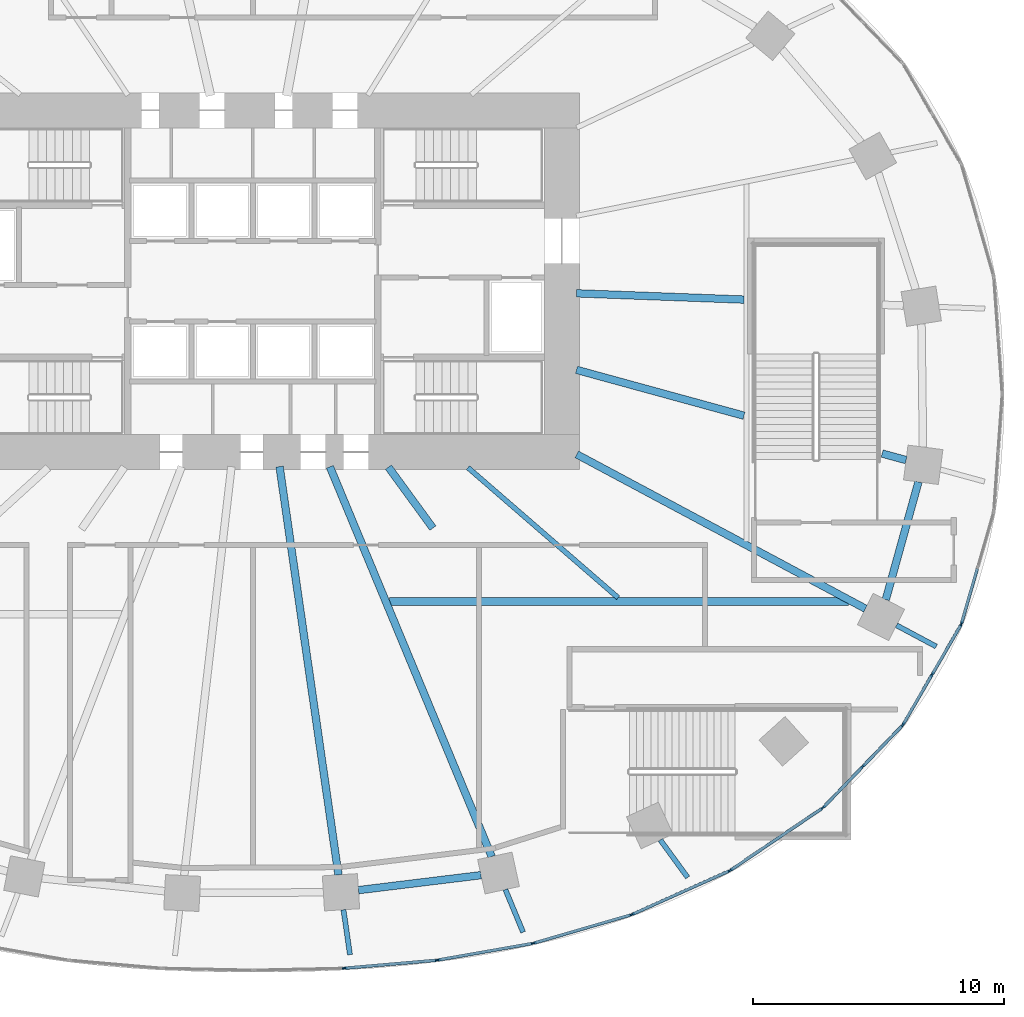
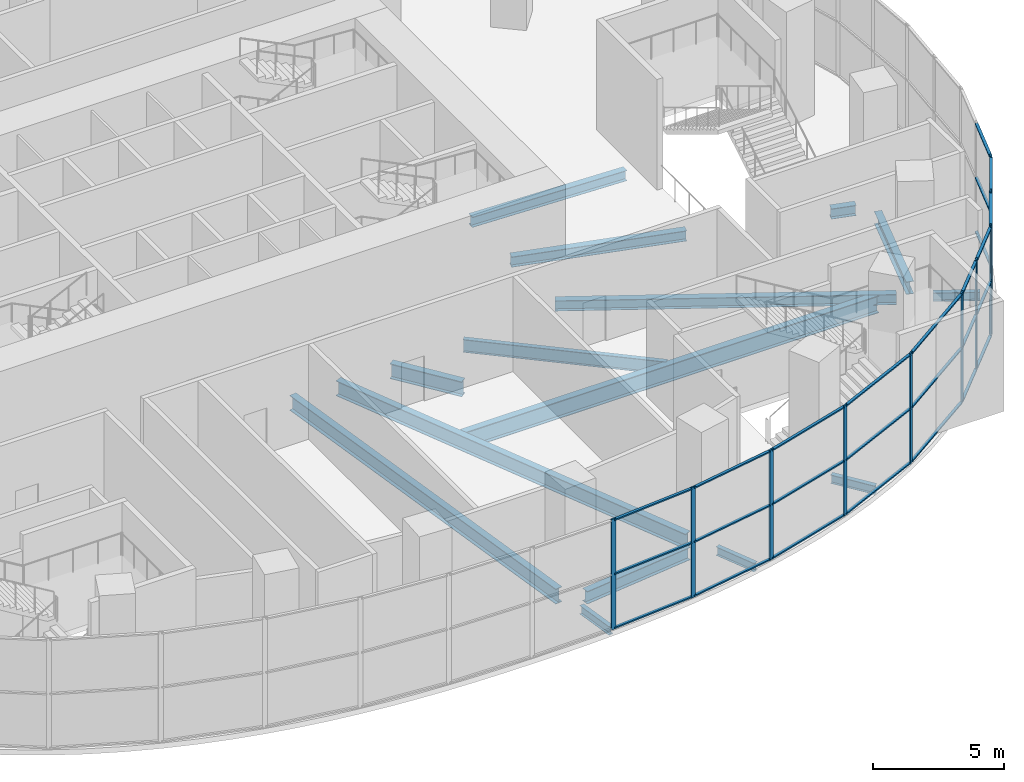
# One storey, part 5 of 20: 40 members, 15 beams, 8 elements without a shape of their own.
"""IFC4 building model written with IfcOpenShell, lengths in metres."""

from ifc_helpers import new_model, si_unit, direction, frame, origin, origin_2d, place, context, subcontext, project, spatial, rectangle, i_section, extrude, material, material_profile, profile_set, type_object, element, aggregate, save


model = new_model("IFC4")

# Units and contexts
model_context = context("Model", 3, precision=1e-05, world=origin(), true_north=direction((0.0, 1.0)))
body_context = subcontext(model_context, "Body", "Model", "MODEL_VIEW")
ifc_project = project(units=[si_unit("LENGTHUNIT", "METRE"), si_unit("AREAUNIT", "SQUARE_METRE"), si_unit("VOLUMEUNIT", "CUBIC_METRE"), si_unit("PLANEANGLEUNIT", "RADIAN"), si_unit("MASSUNIT", "GRAM", prefix="KILO")], contexts=[model_context])

# Site, building, storey
site_placement = place(None, origin())
site = spatial("IfcSite", under=ifc_project, at=site_placement, CompositionType="ELEMENT")
building_placement = place(site_placement, origin())
building = spatial("IfcBuilding", under=site, at=building_placement, Name="Rubra Terraces Tower", CompositionType="ELEMENT")
storey_placement = place(building_placement, frame((0.0, 0.0, 22.800048828125)))
storey = spatial("IfcBuildingStorey", under=building, at=storey_placement, Name="L03", CompositionType="ELEMENT", Elevation=22.800048828125)

# Beams
ifc_material_1 = material(Name="Steel Q355B", Category="steel")
ifc_material_profile_1 = material_profile(ifc_material_1, i_section(OverallWidth=0.199951171875, OverallDepth=0.39990234375, WebThickness=0.008056640625, FlangeThickness=0.012939453125, at=origin_2d()), Name="HN 400x200x8x13")
ifc_profile_set_1 = profile_set([ifc_material_profile_1], Name="Steel Q355B")
beam_type_1 = type_object("IfcBeamType", Name="CANTILEVER BEAM HN 400x200x8x13", PredefinedType="BEAM", material=ifc_profile_set_1)
beam_1_placement = place(storey_placement, frame((3.60888671875, -20.51904296875, -0.449951171875), z_axis=(0.142763772924, -0.989756790904, 0.0), x_axis=(0.989756790904, 0.142763772924, 0.0)))
element("IfcBeam", 1, at=beam_1_placement, inside=storey, type_object=beam_type_1, Name="beam-L03-cant-19", PredefinedType="BEAM", context=body_context, shape_type="SweptSolid", body=[
    extrude(i_section(OverallWidth=0.199951171875, OverallDepth=0.39990234375, WebThickness=0.008056640625, FlangeThickness=0.012939453125, at=origin_2d()), origin(), (0.0, 0.0, 1.0), 1.8076171875),
])
beam_2_placement = place(storey_placement, frame((10.052978515625, -19.715087890625, -0.449951171875), z_axis=(0.383493077266, -0.923543750826, 0.0), x_axis=(0.923543750826, 0.383493077266, 0.0)))
element("IfcBeam", 2, at=beam_2_placement, inside=storey, type_object=beam_type_1, Name="beam-L03-cant-20", PredefinedType="BEAM", context=body_context, shape_type="SweptSolid", body=[
    extrude(i_section(OverallWidth=0.199951171875, OverallDepth=0.39990234375, WebThickness=0.008056640625, FlangeThickness=0.012939453125, at=origin_2d()), origin(), (0.0, 0.0, 1.0), 1.838623046875),
])
beam_3_placement = place(storey_placement, frame((16.219970703125, -17.741943359375, -0.449951171875), z_axis=(0.589263865816, -0.80794065156, 0.0), x_axis=(0.80794065156, 0.589263865816, 0.0)))
element("IfcBeam", 3, at=beam_3_placement, inside=storey, type_object=beam_type_1, Name="beam-L03-cant-21", PredefinedType="BEAM", context=body_context, shape_type="SweptSolid", body=[
    extrude(i_section(OverallWidth=0.199951171875, OverallDepth=0.39990234375, WebThickness=0.008056640625, FlangeThickness=0.012939453125, at=origin_2d()), origin(), (0.0, 0.0, 1.0), 1.8466796875),
])
beam_4_placement = place(storey_placement, frame((25.62109375, -9.196044921875, -0.449951171875), z_axis=(0.881903321084, -0.471430304776, 0.0), x_axis=(0.471430304776, 0.881903321084, 0.0)))
element("IfcBeam", 4, at=beam_4_placement, inside=storey, type_object=beam_type_1, Name="beam-L03-cant-23", PredefinedType="BEAM", context=body_context, shape_type="SweptSolid", body=[
    extrude(i_section(OverallWidth=0.199951171875, OverallDepth=0.39990234375, WebThickness=0.008056640625, FlangeThickness=0.012939453125, at=origin_2d()), origin(), (0.0, 0.0, 1.0), 1.790283203125),
])
ifc_material_profile_2 = material_profile(ifc_material_1, i_section(OverallWidth=0.300048828125, OverallDepth=0.48193359375, WebThickness=0.010986328125, FlangeThickness=0.014892578125, at=origin_2d()), Name="HM 482x300x11x15")
ifc_profile_set_2 = profile_set([ifc_material_profile_2], Name="Steel Q355B")
beam_type_2 = type_object("IfcBeamType", Name="FLOOR BEAM HM 482x300x11x15", PredefinedType="BEAM", material=ifc_profile_set_2)
beam_5_placement = place(storey_placement, frame((19.550048828125, 3.76708984375, -0.490966796875), z_axis=(-0.99929835172, 0.037454028482, 0.0), x_axis=(-0.037454028482, -0.99929835172, 0.0)))
element("IfcBeam", 5, at=beam_5_placement, inside=storey, type_object=beam_type_2, Name="beam-L03-floor-01-b", PredefinedType="BEAM", context=body_context, shape_type="SweptSolid", body=[
    extrude(i_section(OverallWidth=0.300048828125, OverallDepth=0.48193359375, WebThickness=0.010986328125, FlangeThickness=0.014892578125, at=origin_2d()), origin(), (0.0, 0.0, 1.0), 6.6748046875),
])
beam_6_placement = place(storey_placement, frame((24.385009765625, -8.535888671875, -0.490966796875), z_axis=(-0.881896613876, 0.471442851716, 0.0), x_axis=(-0.471442851716, -0.881896613876, 0.0)))
element("IfcBeam", 6, at=beam_6_placement, inside=storey, type_object=beam_type_2, Name="beam-L03-floor-23", PredefinedType="BEAM", context=body_context, shape_type="SweptSolid", body=[
    extrude(i_section(OverallWidth=0.300048828125, OverallDepth=0.48193359375, WebThickness=0.010986328125, FlangeThickness=0.014892578125, at=origin_2d()), origin(), (0.0, 0.0, 1.0), 13.02978515625),
])
beam_7_placement = place(storey_placement, frame((26.001953125, -2.62109375, -0.490966796875), z_axis=(-0.964409050959, 0.264414792376, 0.0), x_axis=(-0.264414792376, -0.964409050959, 0.0)))
element("IfcBeam", 7, at=beam_7_placement, inside=storey, type_object=beam_type_2, Name="beam-L03-floor-24-a", PredefinedType="BEAM", context=body_context, shape_type="SweptSolid", body=[
    extrude(i_section(OverallWidth=0.300048828125, OverallDepth=0.48193359375, WebThickness=0.010986328125, FlangeThickness=0.014892578125, at=origin_2d()), origin(), (0.0, 0.0, 1.0), 0.987060546875),
])
beam_8_placement = place(storey_placement, frame((19.550048828125, -0.85498046875, -0.490966796875), z_axis=(-0.96447222005, 0.26418428559, 0.0), x_axis=(-0.26418428559, -0.96447222005, 0.0)))
element("IfcBeam", 8, at=beam_8_placement, inside=storey, type_object=beam_type_2, Name="beam-L03-floor-24-b", PredefinedType="BEAM", context=body_context, shape_type="SweptSolid", body=[
    extrude(i_section(OverallWidth=0.300048828125, OverallDepth=0.48193359375, WebThickness=0.010986328125, FlangeThickness=0.014892578125, at=origin_2d()), origin(), (0.0, 0.0, 1.0), 6.91162109375),
])
ifc_material_profile_3 = material_profile(ifc_material_1, i_section(OverallWidth=0.198974609375, OverallDepth=0.595947265625, WebThickness=0.010009765625, FlangeThickness=0.014892578125, at=origin_2d()), Name="HN 596x199x10x15")
ifc_profile_set_3 = profile_set([ifc_material_profile_3], Name="Steel Q355B")
beam_type_3 = type_object("IfcBeamType", Name="FLOOR BEAM HN 596x199x10x15", PredefinedType="BEAM", material=ifc_profile_set_3)
beam_9_placement = place(storey_placement, frame((14.5390625, -8.10009765625, -0.548095703125), z_axis=(-0.755693157297, 0.654925837033, 0.0), x_axis=(-0.654925837033, -0.755693157297, 0.0)))
element("IfcBeam", 9, at=beam_9_placement, inside=storey, type_object=beam_type_3, Name="beam-L03-floor-22-a", PredefinedType="BEAM", context=body_context, shape_type="SweptSolid", body=[
    extrude(i_section(OverallWidth=0.198974609375, OverallDepth=0.595947265625, WebThickness=0.010009765625, FlangeThickness=0.014892578125, at=origin_2d()), origin(), (0.0, 0.0, 1.0), 7.907958984375),
])
ifc_material_profile_4 = material_profile(ifc_material_1, i_section(OverallWidth=0.300048828125, OverallDepth=0.699951171875, WebThickness=0.012939453125, FlangeThickness=0.02392578125, at=origin_2d()), Name="HN 700x300x13x24")
ifc_profile_set_4 = profile_set([ifc_material_profile_4], Name="Steel Q355B")
beam_type_4 = type_object("IfcBeamType", Name="FLOOR BEAM HN 700x300x13x24", PredefinedType="BEAM", material=ifc_profile_set_4)
beam_10_placement = place(storey_placement, frame((3.408935546875, -19.12890625, -0.60009765625), z_axis=(-0.142787075711, 0.9897534294, 0.0), x_axis=(-0.9897534294, -0.142787075711, 0.0)))
element("IfcBeam", 10, at=beam_10_placement, inside=storey, type_object=beam_type_4, Name="beam-L03-floor-19", PredefinedType="BEAM", context=body_context, shape_type="SweptSolid", body=[
    extrude(i_section(OverallWidth=0.300048828125, OverallDepth=0.699951171875, WebThickness=0.012939453125, FlangeThickness=0.02392578125, at=origin_2d()), origin(), (0.0, 0.0, 1.0), 16.416015625),
])
beam_11_placement = place(storey_placement, frame((9.507080078125, -18.40087890625, -0.60009765625), z_axis=(-0.383379543301, 0.923590886582, 0.0), x_axis=(-0.923590886582, -0.383379543301, 0.0)))
element("IfcBeam", 11, at=beam_11_placement, inside=storey, type_object=beam_type_4, Name="beam-L03-floor-20", PredefinedType="BEAM", context=body_context, shape_type="SweptSolid", body=[
    extrude(i_section(OverallWidth=0.300048828125, OverallDepth=0.699951171875, WebThickness=0.012939453125, FlangeThickness=0.02392578125, at=origin_2d()), origin(), (0.0, 0.0, 1.0), 16.795166015625),
])
beam_12_placement = place(storey_placement, frame((7.1669921875, -5.326904296875, -0.60009765625), z_axis=(-0.589322677246, 0.807897754722, 0.0), x_axis=(-0.807897754722, -0.589322677246, 0.0)))
element("IfcBeam", 12, at=beam_12_placement, inside=storey, type_object=beam_type_4, Name="beam-L03-floor-21-a", PredefinedType="BEAM", context=body_context, shape_type="SweptSolid", body=[
    extrude(i_section(OverallWidth=0.300048828125, OverallDepth=0.699951171875, WebThickness=0.012939453125, FlangeThickness=0.02392578125, at=origin_2d()), origin(), (0.0, 0.0, 1.0), 3.000244140625),
])

# Curtain wall, member
ifc_material_2 = material(Name="Aluminium and glass", Category="aluminium")
curtain_wall_type = type_object("IfcCurtainWallType", Name="Curtain wall Podium glazing", PredefinedType="NOTDEFINED", material=ifc_material_2)
curtain_wall_1_placement = place(storey_placement, origin())
curtain_wall_1 = element("IfcCurtainWall", 13, at=curtain_wall_1_placement, inside=storey, type_object=curtain_wall_type, Name="L03 glazing bay 32", PredefinedType="NOTDEFINED")
ifc_material_3 = material(Name="Aluminium, anodised dark grey", Category="aluminium")
ifc_material_profile_5 = material_profile(ifc_material_3, rectangle(XDim=0.06005859375, YDim=0.199951171875, at=origin_2d()), Name="AL 60x200")
ifc_profile_set_5 = profile_set([ifc_material_profile_5], Name="Aluminium, anodised dark grey")
member_type_1 = type_object("IfcMemberType", Name="Podium glazing mullion 60 x 200", PredefinedType="MULLION", material=ifc_profile_set_5)
member_1_placement = place(storey_placement, frame((3.6533203125, -22.8447265625, 0.0), z_axis=(0.0, 0.0, 1.0), x_axis=(-0.08639804595, 0.996260697637, 0.0)))
member_1 = element("IfcMember", 14, at=member_1_placement, type_object=member_type_1, Name="CW1 mullion 1", PredefinedType="MULLION", context=body_context, shape_type="SweptSolid", body=[
    extrude(rectangle(XDim=0.06005859375, YDim=0.199951171875, at=origin_2d()), origin(), (0.0, 0.0, 1.0), 5.14990234375),
])

curtain_wall_2_placement = place(storey_placement, origin())
curtain_wall_2 = element("IfcCurtainWall", 15, at=curtain_wall_2_placement, inside=storey, type_object=curtain_wall_type, Name="L03 glazing bay 33", PredefinedType="NOTDEFINED")
member_2_placement = place(storey_placement, frame((7.359619140625, -22.52099609375, 0.0), z_axis=(0.0, 0.0, 1.0), x_axis=(-0.172816985997, 0.984953952909, 0.0)))
member_2 = element("IfcMember", 16, at=member_2_placement, type_object=member_type_1, Name="CW1 mullion 1", PredefinedType="MULLION", context=body_context, shape_type="SweptSolid", body=[
    extrude(rectangle(XDim=0.06005859375, YDim=0.199951171875, at=origin_2d()), origin(), (0.0, 0.0, 1.0), 5.14990234375),
])

curtain_wall_3_placement = place(storey_placement, origin())
curtain_wall_3 = element("IfcCurtainWall", 17, at=curtain_wall_3_placement, inside=storey, type_object=curtain_wall_type, Name="L03 glazing bay 34", PredefinedType="NOTDEFINED")
member_3_placement = place(storey_placement, frame((11.180908203125, -21.84765625, 0.0), z_axis=(0.0, 0.0, 1.0), x_axis=(-0.279399200229, 0.96017502931, 0.0)))
member_3 = element("IfcMember", 18, at=member_3_placement, type_object=member_type_1, Name="CW1 mullion 1", PredefinedType="MULLION", context=body_context, shape_type="SweptSolid", body=[
    extrude(rectangle(XDim=0.06005859375, YDim=0.199951171875, at=origin_2d()), origin(), (0.0, 0.0, 1.0), 5.14990234375),
])

curtain_wall_4_placement = place(storey_placement, origin())
curtain_wall_4 = element("IfcCurtainWall", 19, at=curtain_wall_4_placement, inside=storey, type_object=curtain_wall_type, Name="L03 glazing bay 35", PredefinedType="NOTDEFINED")
member_4_placement = place(storey_placement, frame((15.09765625, -20.704345703125, 0.0), z_axis=(0.0, 0.0, 1.0), x_axis=(-0.4089624427, 0.912551215254, 0.0)))
member_4 = element("IfcMember", 20, at=member_4_placement, type_object=member_type_1, Name="CW1 mullion 1", PredefinedType="MULLION", context=body_context, shape_type="SweptSolid", body=[
    extrude(rectangle(XDim=0.06005859375, YDim=0.199951171875, at=origin_2d()), origin(), (0.0, 0.0, 1.0), 5.14990234375),
])

curtain_wall_5_placement = place(storey_placement, origin())
curtain_wall_5 = element("IfcCurtainWall", 21, at=curtain_wall_5_placement, inside=storey, type_object=curtain_wall_type, Name="L03 glazing bay 36", PredefinedType="NOTDEFINED")
member_5_placement = place(storey_placement, frame((19.009033203125, -18.947021484375, 0.0), z_axis=(0.0, 0.0, 1.0), x_axis=(-0.55927727939, 0.828980654031, 0.0)))
member_5 = element("IfcMember", 22, at=member_5_placement, type_object=member_type_1, Name="CW1 mullion 1", PredefinedType="MULLION", context=body_context, shape_type="SweptSolid", body=[
    extrude(rectangle(XDim=0.06005859375, YDim=0.199951171875, at=origin_2d()), origin(), (0.0, 0.0, 1.0), 5.14990234375),
])

# Curtain wall, members
curtain_wall_6_placement = place(storey_placement, origin())
curtain_wall_6 = element("IfcCurtainWall", 23, at=curtain_wall_6_placement, inside=storey, type_object=curtain_wall_type, Name="L03 glazing bay 37", PredefinedType="NOTDEFINED")
member_6_placement = place(storey_placement, frame((22.705810546875, -16.447265625, 0.0), z_axis=(0.0, 0.0, 1.0), x_axis=(-0.71982488517, 0.69415569917, 0.0)))
member_6 = element("IfcMember", 24, at=member_6_placement, type_object=member_type_1, Name="CW1 mullion 1", PredefinedType="MULLION", context=body_context, shape_type="SweptSolid", body=[
    extrude(rectangle(XDim=0.06005859375, YDim=0.199951171875, at=origin_2d()), origin(), (0.0, 0.0, 1.0), 5.14990234375),
])
member_7_placement = place(storey_placement, frame((24.280517578125, -14.814453125, 0.0), z_axis=(0.0, 0.0, 1.0), x_axis=(-0.71982488517, 0.69415569917, 0.0)))
member_7 = element("IfcMember", 25, at=member_7_placement, type_object=member_type_1, Name="CW1 mullion 2", PredefinedType="MULLION", context=body_context, shape_type="SweptSolid", body=[
    extrude(rectangle(XDim=0.06005859375, YDim=0.199951171875, at=origin_2d()), origin(), (0.0, 0.0, 1.0), 5.14990234375),
])

curtain_wall_7_placement = place(storey_placement, origin())
curtain_wall_7 = element("IfcCurtainWall", 26, at=curtain_wall_7_placement, inside=storey, type_object=curtain_wall_type, Name="L03 glazing bay 38", PredefinedType="NOTDEFINED")
member_8_placement = place(storey_placement, frame((25.880126953125, -13.1484375, 0.0), z_axis=(0.0, 0.0, 1.0), x_axis=(-0.864813011398, 0.502094070187, 0.0)))
member_8 = element("IfcMember", 27, at=member_8_placement, type_object=member_type_1, Name="CW1 mullion 1", PredefinedType="MULLION", context=body_context, shape_type="SweptSolid", body=[
    extrude(rectangle(XDim=0.06005859375, YDim=0.199951171875, at=origin_2d()), origin(), (0.0, 0.0, 1.0), 5.14990234375),
])
member_9_placement = place(storey_placement, frame((27.0341796875, -11.160888671875, 0.0), z_axis=(0.0, 0.0, 1.0), x_axis=(-0.864813011398, 0.502094070187, 0.0)))
member_9 = element("IfcMember", 28, at=member_9_placement, type_object=member_type_1, Name="CW1 mullion 2", PredefinedType="MULLION", context=body_context, shape_type="SweptSolid", body=[
    extrude(rectangle(XDim=0.06005859375, YDim=0.199951171875, at=origin_2d()), origin(), (0.0, 0.0, 1.0), 5.14990234375),
])

# Curtain wall, member
curtain_wall_8_placement = place(storey_placement, origin())
curtain_wall_8 = element("IfcCurtainWall", 29, at=curtain_wall_8_placement, inside=storey, type_object=curtain_wall_type, Name="L03 glazing bay 39", PredefinedType="NOTDEFINED")
member_10_placement = place(storey_placement, frame((28.2041015625, -9.135498046875, 0.0), z_axis=(0.0, 0.0, 1.0), x_axis=(-0.961047339404, 0.276383811798, 0.0)))
member_10 = element("IfcMember", 30, at=member_10_placement, type_object=member_type_1, Name="CW1 mullion 1", PredefinedType="MULLION", context=body_context, shape_type="SweptSolid", body=[
    extrude(rectangle(XDim=0.06005859375, YDim=0.199951171875, at=origin_2d()), origin(), (0.0, 0.0, 1.0), 5.14990234375),
])

# Member
ifc_material_profile_6 = material_profile(ifc_material_3, rectangle(XDim=0.1201171875, YDim=0.06005859375, at=origin_2d()), Name="AL 120x60")
ifc_profile_set_6 = profile_set([ifc_material_profile_6], Name="Aluminium, anodised dark grey")
member_type_2 = type_object("IfcMemberType", Name="Podium glazing transom 120 x 60", PredefinedType="USERDEFINED", material=ifc_profile_set_6)
member_11_placement = place(storey_placement, frame((3.683349609375, -22.842041015625, 0.06005859375), z_axis=(0.996262906738, 0.086372568895, 0.0), x_axis=(-0.086372568895, 0.996262906738, 0.0)))
member_11 = element("IfcMember", 31, at=member_11_placement, type_object=member_type_2, Name="CW1 transom 1.1", ObjectType="TRANSOM", PredefinedType="USERDEFINED", context=body_context, shape_type="SweptSolid", body=[
    extrude(rectangle(XDim=0.1201171875, YDim=0.06005859375, at=origin_2d()), origin(), (0.0, 0.0, 1.0), 3.606689453125),
])

member_12_placement = place(storey_placement, frame((3.683349609375, -22.842041015625, 2.574951171875), z_axis=(0.996262906738, 0.086372568895, 0.0), x_axis=(-0.086372568895, 0.996262906738, 0.0)))
member_12 = element("IfcMember", 32, at=member_12_placement, type_object=member_type_2, Name="CW1 transom 1.2", ObjectType="TRANSOM", PredefinedType="USERDEFINED", context=body_context, shape_type="SweptSolid", body=[
    extrude(rectangle(XDim=0.1201171875, YDim=0.06005859375, at=origin_2d()), origin(), (0.0, 0.0, 1.0), 3.606689453125),
])

member_13_placement = place(storey_placement, frame((3.683349609375, -22.842041015625, 5.08984375), z_axis=(0.996262906738, 0.086372568895, 0.0), x_axis=(-0.086372568895, 0.996262906738, 0.0)))
member_13 = element("IfcMember", 33, at=member_13_placement, type_object=member_type_2, Name="CW1 transom 1.3", ObjectType="TRANSOM", PredefinedType="USERDEFINED", context=body_context, shape_type="SweptSolid", body=[
    extrude(rectangle(XDim=0.1201171875, YDim=0.06005859375, at=origin_2d()), origin(), (0.0, 0.0, 1.0), 3.606689453125),
])

aggregate(curtain_wall_1, [member_1, member_11, member_12, member_13])

member_14_placement = place(storey_placement, frame((7.38916015625, -22.515625, 0.06005859375), z_axis=(0.984959152546, 0.172787348539, 0.0), x_axis=(-0.172787348539, 0.984959152546, 0.0)))
member_14 = element("IfcMember", 34, at=member_14_placement, type_object=member_type_2, Name="CW1 transom 1.1", ObjectType="TRANSOM", PredefinedType="USERDEFINED", context=body_context, shape_type="SweptSolid", body=[
    extrude(rectangle(XDim=0.1201171875, YDim=0.06005859375, at=origin_2d()), origin(), (0.0, 0.0, 1.0), 3.768310546875),
])

member_15_placement = place(storey_placement, frame((7.38916015625, -22.515625, 2.574951171875), z_axis=(0.984959152546, 0.172787348539, 0.0), x_axis=(-0.172787348539, 0.984959152546, 0.0)))
member_15 = element("IfcMember", 35, at=member_15_placement, type_object=member_type_2, Name="CW1 transom 1.2", ObjectType="TRANSOM", PredefinedType="USERDEFINED", context=body_context, shape_type="SweptSolid", body=[
    extrude(rectangle(XDim=0.1201171875, YDim=0.06005859375, at=origin_2d()), origin(), (0.0, 0.0, 1.0), 3.768310546875),
])

member_16_placement = place(storey_placement, frame((7.38916015625, -22.515625, 5.08984375), z_axis=(0.984959152546, 0.172787348539, 0.0), x_axis=(-0.172787348539, 0.984959152546, 0.0)))
member_16 = element("IfcMember", 36, at=member_16_placement, type_object=member_type_2, Name="CW1 transom 1.3", ObjectType="TRANSOM", PredefinedType="USERDEFINED", context=body_context, shape_type="SweptSolid", body=[
    extrude(rectangle(XDim=0.1201171875, YDim=0.06005859375, at=origin_2d()), origin(), (0.0, 0.0, 1.0), 3.768310546875),
])

aggregate(curtain_wall_2, [member_2, member_14, member_15, member_16])

member_17_placement = place(storey_placement, frame((11.209716796875, -21.83935546875, 0.06005859375), z_axis=(0.960164409194, 0.279435694422, 0.0), x_axis=(-0.279435694422, 0.960164409194, 0.0)))
member_17 = element("IfcMember", 37, at=member_17_placement, type_object=member_type_2, Name="CW1 transom 1.1", ObjectType="TRANSOM", PredefinedType="USERDEFINED", context=body_context, shape_type="SweptSolid", body=[
    extrude(rectangle(XDim=0.1201171875, YDim=0.06005859375, at=origin_2d()), origin(), (0.0, 0.0, 1.0), 3.970947265625),
])

member_18_placement = place(storey_placement, frame((11.209716796875, -21.83935546875, 2.574951171875), z_axis=(0.960164409194, 0.279435694422, 0.0), x_axis=(-0.279435694422, 0.960164409194, 0.0)))
member_18 = element("IfcMember", 38, at=member_18_placement, type_object=member_type_2, Name="CW1 transom 1.2", ObjectType="TRANSOM", PredefinedType="USERDEFINED", context=body_context, shape_type="SweptSolid", body=[
    extrude(rectangle(XDim=0.1201171875, YDim=0.06005859375, at=origin_2d()), origin(), (0.0, 0.0, 1.0), 3.970947265625),
])

member_19_placement = place(storey_placement, frame((11.209716796875, -21.83935546875, 5.08984375), z_axis=(0.960164409194, 0.279435694422, 0.0), x_axis=(-0.279435694422, 0.960164409194, 0.0)))
member_19 = element("IfcMember", 39, at=member_19_placement, type_object=member_type_2, Name="CW1 transom 1.3", ObjectType="TRANSOM", PredefinedType="USERDEFINED", context=body_context, shape_type="SweptSolid", body=[
    extrude(rectangle(XDim=0.1201171875, YDim=0.06005859375, at=origin_2d()), origin(), (0.0, 0.0, 1.0), 3.970947265625),
])

aggregate(curtain_wall_3, [member_3, member_17, member_18, member_19])

member_20_placement = place(storey_placement, frame((15.125, -20.692138671875, 0.06005859375), z_axis=(0.912545396627, 0.408975426029, 0.0), x_axis=(-0.408975426029, 0.912545396627, 0.0)))
member_20 = element("IfcMember", 40, at=member_20_placement, type_object=member_type_2, Name="CW1 transom 1.1", ObjectType="TRANSOM", PredefinedType="USERDEFINED", context=body_context, shape_type="SweptSolid", body=[
    extrude(rectangle(XDim=0.1201171875, YDim=0.06005859375, at=origin_2d()), origin(), (0.0, 0.0, 1.0), 4.18115234375),
])

member_21_placement = place(storey_placement, frame((15.125, -20.692138671875, 2.574951171875), z_axis=(0.912545396627, 0.408975426029, 0.0), x_axis=(-0.408975426029, 0.912545396627, 0.0)))
member_21 = element("IfcMember", 41, at=member_21_placement, type_object=member_type_2, Name="CW1 transom 1.2", ObjectType="TRANSOM", PredefinedType="USERDEFINED", context=body_context, shape_type="SweptSolid", body=[
    extrude(rectangle(XDim=0.1201171875, YDim=0.06005859375, at=origin_2d()), origin(), (0.0, 0.0, 1.0), 4.18115234375),
])

member_22_placement = place(storey_placement, frame((15.125, -20.692138671875, 5.08984375), z_axis=(0.912545396627, 0.408975426029, 0.0), x_axis=(-0.408975426029, 0.912545396627, 0.0)))
member_22 = element("IfcMember", 42, at=member_22_placement, type_object=member_type_2, Name="CW1 transom 1.3", ObjectType="TRANSOM", PredefinedType="USERDEFINED", context=body_context, shape_type="SweptSolid", body=[
    extrude(rectangle(XDim=0.1201171875, YDim=0.06005859375, at=origin_2d()), origin(), (0.0, 0.0, 1.0), 4.18115234375),
])

aggregate(curtain_wall_4, [member_4, member_20, member_21, member_22])

member_23_placement = place(storey_placement, frame((19.033935546875, -18.93017578125, 0.06005859375), z_axis=(0.828996039897, 0.559254473236, 0.0), x_axis=(-0.559254473236, 0.828996039897, 0.0)))
member_23 = element("IfcMember", 43, at=member_23_placement, type_object=member_type_2, Name="CW1 transom 1.1", ObjectType="TRANSOM", PredefinedType="USERDEFINED", context=body_context, shape_type="SweptSolid", body=[
    extrude(rectangle(XDim=0.1201171875, YDim=0.06005859375, at=origin_2d()), origin(), (0.0, 0.0, 1.0), 4.35888671875),
])

member_24_placement = place(storey_placement, frame((19.033935546875, -18.93017578125, 2.574951171875), z_axis=(0.828996039897, 0.559254473236, 0.0), x_axis=(-0.559254473236, 0.828996039897, 0.0)))
member_24 = element("IfcMember", 44, at=member_24_placement, type_object=member_type_2, Name="CW1 transom 1.2", ObjectType="TRANSOM", PredefinedType="USERDEFINED", context=body_context, shape_type="SweptSolid", body=[
    extrude(rectangle(XDim=0.1201171875, YDim=0.06005859375, at=origin_2d()), origin(), (0.0, 0.0, 1.0), 4.35888671875),
])

member_25_placement = place(storey_placement, frame((19.033935546875, -18.93017578125, 5.08984375), z_axis=(0.828996039897, 0.559254473236, 0.0), x_axis=(-0.559254473236, 0.828996039897, 0.0)))
member_25 = element("IfcMember", 45, at=member_25_placement, type_object=member_type_2, Name="CW1 transom 1.3", ObjectType="TRANSOM", PredefinedType="USERDEFINED", context=body_context, shape_type="SweptSolid", body=[
    extrude(rectangle(XDim=0.1201171875, YDim=0.06005859375, at=origin_2d()), origin(), (0.0, 0.0, 1.0), 4.35888671875),
])

aggregate(curtain_wall_5, [member_5, member_23, member_24, member_25])

member_26_placement = place(storey_placement, frame((22.7265625, -16.42578125, 0.06005859375), z_axis=(0.694168299732, 0.719812733735, 0.0), x_axis=(-0.719812733735, 0.694168299732, 0.0)))
member_26 = element("IfcMember", 46, at=member_26_placement, type_object=member_type_2, Name="CW1 transom 1.1", ObjectType="TRANSOM", PredefinedType="USERDEFINED", context=body_context, shape_type="SweptSolid", body=[
    extrude(rectangle(XDim=0.1201171875, YDim=0.06005859375, at=origin_2d()), origin(), (0.0, 0.0, 1.0), 2.208740234375),
])

member_27_placement = place(storey_placement, frame((22.7265625, -16.42578125, 2.574951171875), z_axis=(0.694168299732, 0.719812733735, 0.0), x_axis=(-0.719812733735, 0.694168299732, 0.0)))
member_27 = element("IfcMember", 47, at=member_27_placement, type_object=member_type_2, Name="CW1 transom 1.2", ObjectType="TRANSOM", PredefinedType="USERDEFINED", context=body_context, shape_type="SweptSolid", body=[
    extrude(rectangle(XDim=0.1201171875, YDim=0.06005859375, at=origin_2d()), origin(), (0.0, 0.0, 1.0), 2.208740234375),
])

member_28_placement = place(storey_placement, frame((22.7265625, -16.42578125, 5.08984375), z_axis=(0.694168299732, 0.719812733735, 0.0), x_axis=(-0.719812733735, 0.694168299732, 0.0)))
member_28 = element("IfcMember", 48, at=member_28_placement, type_object=member_type_2, Name="CW1 transom 1.3", ObjectType="TRANSOM", PredefinedType="USERDEFINED", context=body_context, shape_type="SweptSolid", body=[
    extrude(rectangle(XDim=0.1201171875, YDim=0.06005859375, at=origin_2d()), origin(), (0.0, 0.0, 1.0), 2.208740234375),
])

member_29_placement = place(storey_placement, frame((24.30126953125, -14.792724609375, 0.06005859375), z_axis=(0.694223533913, 0.719759463266, 0.0), x_axis=(-0.719759463266, 0.694223533913, 0.0)))
member_29 = element("IfcMember", 49, at=member_29_placement, type_object=member_type_2, Name="CW1 transom 2.1", ObjectType="TRANSOM", PredefinedType="USERDEFINED", context=body_context, shape_type="SweptSolid", body=[
    extrude(rectangle(XDim=0.1201171875, YDim=0.06005859375, at=origin_2d()), origin(), (0.0, 0.0, 1.0), 2.20849609375),
])

member_30_placement = place(storey_placement, frame((24.30126953125, -14.792724609375, 2.574951171875), z_axis=(0.694223533913, 0.719759463266, 0.0), x_axis=(-0.719759463266, 0.694223533913, 0.0)))
member_30 = element("IfcMember", 50, at=member_30_placement, type_object=member_type_2, Name="CW1 transom 2.2", ObjectType="TRANSOM", PredefinedType="USERDEFINED", context=body_context, shape_type="SweptSolid", body=[
    extrude(rectangle(XDim=0.1201171875, YDim=0.06005859375, at=origin_2d()), origin(), (0.0, 0.0, 1.0), 2.20849609375),
])

member_31_placement = place(storey_placement, frame((24.30126953125, -14.792724609375, 5.08984375), z_axis=(0.694223533913, 0.719759463266, 0.0), x_axis=(-0.719759463266, 0.694223533913, 0.0)))
member_31 = element("IfcMember", 51, at=member_31_placement, type_object=member_type_2, Name="CW1 transom 2.3", ObjectType="TRANSOM", PredefinedType="USERDEFINED", context=body_context, shape_type="SweptSolid", body=[
    extrude(rectangle(XDim=0.1201171875, YDim=0.06005859375, at=origin_2d()), origin(), (0.0, 0.0, 1.0), 2.20849609375),
])

aggregate(curtain_wall_6, [member_6, member_7, member_26, member_27, member_28, member_29, member_30, member_31])

member_32_placement = place(storey_placement, frame((25.895263671875, -13.122314453125, 0.06005859375), z_axis=(0.502106569931, 0.864805754162, 0.0), x_axis=(-0.864805754162, 0.502106569931, 0.0)))
member_32 = element("IfcMember", 52, at=member_32_placement, type_object=member_type_2, Name="CW1 transom 1.1", ObjectType="TRANSOM", PredefinedType="USERDEFINED", context=body_context, shape_type="SweptSolid", body=[
    extrude(rectangle(XDim=0.1201171875, YDim=0.06005859375, at=origin_2d()), origin(), (0.0, 0.0, 1.0), 2.238037109375),
])

member_33_placement = place(storey_placement, frame((25.895263671875, -13.122314453125, 2.574951171875), z_axis=(0.502106569931, 0.864805754162, 0.0), x_axis=(-0.864805754162, 0.502106569931, 0.0)))
member_33 = element("IfcMember", 53, at=member_33_placement, type_object=member_type_2, Name="CW1 transom 1.2", ObjectType="TRANSOM", PredefinedType="USERDEFINED", context=body_context, shape_type="SweptSolid", body=[
    extrude(rectangle(XDim=0.1201171875, YDim=0.06005859375, at=origin_2d()), origin(), (0.0, 0.0, 1.0), 2.238037109375),
])

member_34_placement = place(storey_placement, frame((25.895263671875, -13.122314453125, 5.08984375), z_axis=(0.502106569931, 0.864805754162, 0.0), x_axis=(-0.864805754162, 0.502106569931, 0.0)))
member_34 = element("IfcMember", 54, at=member_34_placement, type_object=member_type_2, Name="CW1 transom 1.3", ObjectType="TRANSOM", PredefinedType="USERDEFINED", context=body_context, shape_type="SweptSolid", body=[
    extrude(rectangle(XDim=0.1201171875, YDim=0.06005859375, at=origin_2d()), origin(), (0.0, 0.0, 1.0), 2.238037109375),
])

member_35_placement = place(storey_placement, frame((27.049072265625, -11.134765625, 0.06005859375), z_axis=(0.5021881448, 0.864758386616, 0.0), x_axis=(-0.864758386616, 0.5021881448, 0.0)))
member_35 = element("IfcMember", 55, at=member_35_placement, type_object=member_type_2, Name="CW1 transom 2.1", ObjectType="TRANSOM", PredefinedType="USERDEFINED", context=body_context, shape_type="SweptSolid", body=[
    extrude(rectangle(XDim=0.1201171875, YDim=0.06005859375, at=origin_2d()), origin(), (0.0, 0.0, 1.0), 2.23828125),
])

member_36_placement = place(storey_placement, frame((27.049072265625, -11.134765625, 2.574951171875), z_axis=(0.5021881448, 0.864758386616, 0.0), x_axis=(-0.864758386616, 0.5021881448, 0.0)))
member_36 = element("IfcMember", 56, at=member_36_placement, type_object=member_type_2, Name="CW1 transom 2.2", ObjectType="TRANSOM", PredefinedType="USERDEFINED", context=body_context, shape_type="SweptSolid", body=[
    extrude(rectangle(XDim=0.1201171875, YDim=0.06005859375, at=origin_2d()), origin(), (0.0, 0.0, 1.0), 2.23828125),
])

member_37_placement = place(storey_placement, frame((27.049072265625, -11.134765625, 5.08984375), z_axis=(0.5021881448, 0.864758386616, 0.0), x_axis=(-0.864758386616, 0.5021881448, 0.0)))
member_37 = element("IfcMember", 57, at=member_37_placement, type_object=member_type_2, Name="CW1 transom 2.3", ObjectType="TRANSOM", PredefinedType="USERDEFINED", context=body_context, shape_type="SweptSolid", body=[
    extrude(rectangle(XDim=0.1201171875, YDim=0.06005859375, at=origin_2d()), origin(), (0.0, 0.0, 1.0), 2.23828125),
])

aggregate(curtain_wall_7, [member_8, member_9, member_32, member_33, member_34, member_35, member_36, member_37])

member_38_placement = place(storey_placement, frame((28.21240234375, -9.106689453125, 0.06005859375), z_axis=(0.276452561882, 0.961027565177, 0.0), x_axis=(-0.961027565177, 0.276452561882, 0.0)))
member_38 = element("IfcMember", 58, at=member_38_placement, type_object=member_type_2, Name="CW1 transom 1.1", ObjectType="TRANSOM", PredefinedType="USERDEFINED", context=body_context, shape_type="SweptSolid", body=[
    extrude(rectangle(XDim=0.1201171875, YDim=0.06005859375, at=origin_2d()), origin(), (0.0, 0.0, 1.0), 2.2529296875),
])

member_39_placement = place(storey_placement, frame((28.21240234375, -9.106689453125, 2.574951171875), z_axis=(0.276452561882, 0.961027565177, 0.0), x_axis=(-0.961027565177, 0.276452561882, 0.0)))
member_39 = element("IfcMember", 59, at=member_39_placement, type_object=member_type_2, Name="CW1 transom 1.2", ObjectType="TRANSOM", PredefinedType="USERDEFINED", context=body_context, shape_type="SweptSolid", body=[
    extrude(rectangle(XDim=0.1201171875, YDim=0.06005859375, at=origin_2d()), origin(), (0.0, 0.0, 1.0), 2.2529296875),
])

member_40_placement = place(storey_placement, frame((28.21240234375, -9.106689453125, 5.08984375), z_axis=(0.276452561882, 0.961027565177, 0.0), x_axis=(-0.961027565177, 0.276452561882, 0.0)))
member_40 = element("IfcMember", 60, at=member_40_placement, type_object=member_type_2, Name="CW1 transom 1.3", ObjectType="TRANSOM", PredefinedType="USERDEFINED", context=body_context, shape_type="SweptSolid", body=[
    extrude(rectangle(XDim=0.1201171875, YDim=0.06005859375, at=origin_2d()), origin(), (0.0, 0.0, 1.0), 2.2529296875),
])

aggregate(curtain_wall_8, [member_10, member_38, member_39, member_40])

# Beams
ifc_material_profile_7 = material_profile(ifc_material_1, i_section(OverallWidth=0.300048828125, OverallDepth=0.587890625, WebThickness=0.011962890625, FlangeThickness=0.02001953125, at=origin_2d()), Name="HM 588x300x12x20")
ifc_profile_set_7 = profile_set([ifc_material_profile_7], Name="Steel Q355B")
beam_type_5 = type_object("IfcBeamType", Name="SPANDREL BEAM HM 588x300x12x20", PredefinedType="SPANDREL", material=ifc_profile_set_7)
beam_13_placement = place(storey_placement, frame((4.205078125, -19.739013671875, -0.5439453125), z_axis=(0.992616576014, 0.12129440639, 0.0), x_axis=(-0.12129440639, 0.992616576014, 0.0)))
element("IfcBeam", 61, at=beam_13_placement, inside=storey, type_object=beam_type_5, Name="beam-L03-spandrel-19", PredefinedType="SPANDREL", context=body_context, shape_type="SweptSolid", body=[
    extrude(i_section(OverallWidth=0.300048828125, OverallDepth=0.587890625, WebThickness=0.011962890625, FlangeThickness=0.02001953125, at=origin_2d()), origin(), (0.0, 0.0, 1.0), 4.913330078125),
])
beam_14_placement = place(storey_placement, frame((25.194091796875, -8.177978515625, -0.5439453125), z_axis=(0.267364386726, 0.96359549849, 0.0), x_axis=(-0.96359549849, 0.267364386726, 0.0)))
element("IfcBeam", 62, at=beam_14_placement, inside=storey, type_object=beam_type_5, Name="beam-L03-spandrel-23", PredefinedType="SPANDREL", context=body_context, shape_type="SweptSolid", body=[
    extrude(i_section(OverallWidth=0.300048828125, OverallDepth=0.587890625, WebThickness=0.011962890625, FlangeThickness=0.02001953125, at=origin_2d()), origin(), (0.0, 0.0, 1.0), 4.8662109375),
])
ifc_material_profile_8 = material_profile(ifc_material_1, i_section(OverallWidth=0.300048828125, OverallDepth=0.800048828125, WebThickness=0.013916015625, FlangeThickness=0.02587890625, at=origin_2d()), Name="HN 800x300x14x26")
ifc_profile_set_8 = profile_set([ifc_material_profile_8], Name="Steel Q355B")
beam_type_6 = type_object("IfcBeamType", Name="TRIMMER BEAM HN 800x300x14x26", PredefinedType="BEAM", material=ifc_profile_set_8)
beam_15_placement = place(storey_placement, frame((5.443115234375, -8.25, -0.650146484375), z_axis=(1.0, 0.0, 0.0), x_axis=(0.0, 1.0, 0.0)))
element("IfcBeam", 63, at=beam_15_placement, inside=storey, type_object=beam_type_6, Name="beam-L03-header-4-yhi", PredefinedType="BEAM", context=body_context, shape_type="SweptSolid", body=[
    extrude(i_section(OverallWidth=0.300048828125, OverallDepth=0.800048828125, WebThickness=0.013916015625, FlangeThickness=0.02587890625, at=origin_2d()), origin(), (0.0, 0.0, 1.0), 18.2578125),
])

save(model, "model.ifc")
